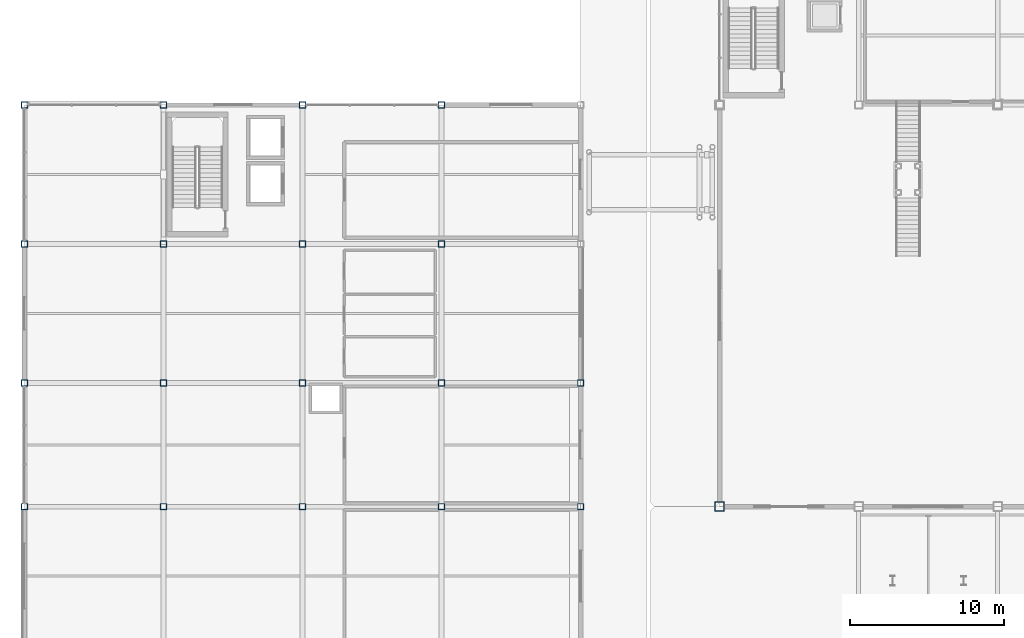
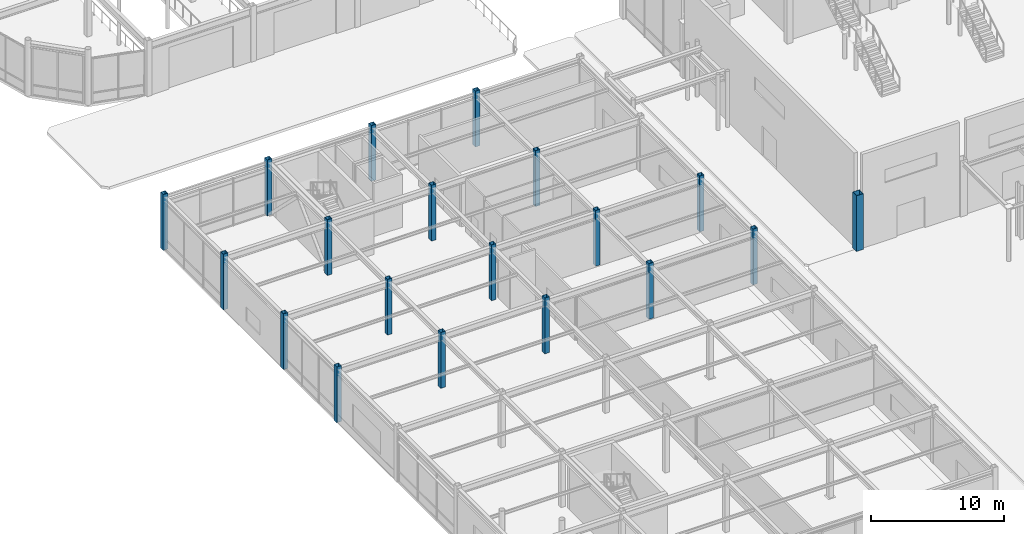
# One storey, part 3 of 123: 19 columns.
"""IFC4 building model written with IfcOpenShell, lengths in metres."""

from ifc_helpers import new_model, si_unit, direction, frame, origin, origin_2d, place, context, subcontext, project, spatial, hollow_rectangle, extrude, material, material_profile, profile_set, type_object, element, save


model = new_model("IFC4")

# Units and contexts
model_context = context("Model", 3, precision=1e-05, world=origin(), true_north=direction((0.0, 1.0)))
body_context = subcontext(model_context, "Body", "Model", "MODEL_VIEW")
ifc_project = project(units=[si_unit("LENGTHUNIT", "METRE"), si_unit("AREAUNIT", "SQUARE_METRE"), si_unit("VOLUMEUNIT", "CUBIC_METRE"), si_unit("PLANEANGLEUNIT", "RADIAN"), si_unit("MASSUNIT", "GRAM", prefix="KILO")], contexts=[model_context])

# Site, building, storey
site_placement = place(None, origin())
site = spatial("IfcSite", under=ifc_project, at=site_placement, CompositionType="ELEMENT")
building_placement = place(site_placement, origin())
building = spatial("IfcBuilding", under=site, at=building_placement, Name="Suzunagisa Mobility Hub", CompositionType="ELEMENT")
storey_placement = place(building_placement, origin())
storey = spatial("IfcBuildingStorey", under=building, at=storey_placement, Name="L00", CompositionType="ELEMENT", Elevation=0.0)

# Columns
ifc_material = material(Name="Steel SN490B", Category="steel")
ifc_material_profile_1 = material_profile(ifc_material, hollow_rectangle(XDim=0.60009765625, YDim=0.60009765625, WallThickness=0.031982421875, at=origin_2d()), Name="BOX-600x600x32")
ifc_profile_set_1 = profile_set([ifc_material_profile_1], Name="Steel SN490B")
column_type_1 = type_object("IfcColumnType", Name="Steel Column CL-05 BOX-600x600x32", PredefinedType="COLUMN", material=ifc_profile_set_1)
column_placement = place(storey_placement, frame((45.0, 36.0, 0.0), z_axis=(0.0, 0.0, 1.0), x_axis=(1.0, 0.0, 0.0)))
element("IfcColumn", 1, at=column_placement, inside=storey, type_object=column_type_1, Name="L00 Column 115", PredefinedType="COLUMN", context=body_context, shape_type="SweptSolid", body=[
    extrude(hollow_rectangle(XDim=0.60009765625, YDim=0.60009765625, WallThickness=0.031982421875, at=origin_2d()), origin(), (0.0, 0.0, 1.0), 5.10009765625),
])
ifc_material_profile_2 = material_profile(ifc_material, hollow_rectangle(XDim=0.39990234375, YDim=0.39990234375, WallThickness=0.01904296875, at=origin_2d()), Name="BCR-400x400x19")
ifc_profile_set_2 = profile_set([ifc_material_profile_2], Name="Steel SN490B")
column_type_2 = type_object("IfcColumnType", Name="Steel Column CL-13 BCR-400x400x19", PredefinedType="COLUMN", material=ifc_profile_set_2)
for number, where, z_axis, x_axis, name in (
    (2, (0.0, 36.0, 0.0), (0.0, 0.0, 1.0), (1.0, 0.0, 0.0), "L00 Column 4"),
    (3, (0.0, 44.0, 0.0), (0.0, 0.0, 1.0), (1.0, 0.0, 0.0), "L00 Column 5"),
    (4, (0.0, 53.0, 0.0), (0.0, 0.0, 1.0), (1.0, 0.0, 0.0), "L00 Column 6"),
    (5, (0.0, 62.0, 0.0), (0.0, 0.0, 1.0), (1.0, 0.0, 0.0), "L00 Column 7"),
    (6, (9.0, 36.0, 0.0), (0.0, 0.0, 1.0), (1.0, 0.0, 0.0), "L00 Column 24"),
    (7, (9.0, 44.0, 0.0), (0.0, 0.0, 1.0), (1.0, 0.0, 0.0), "L00 Column 25"),
    (8, (9.0, 53.0, 0.0), (0.0, 0.0, 1.0), (1.0, 0.0, 0.0), "L00 Column 26"),
    (9, (9.0, 62.0, 0.0), (0.0, 0.0, 1.0), (1.0, 0.0, 0.0), "L00 Column 27"),
    (10, (18.0, 36.0, 0.0), (0.0, 0.0, 1.0), (1.0, 0.0, 0.0), "L00 Column 45"),
    (11, (18.0, 44.0, 0.0), (0.0, 0.0, 1.0), (1.0, 0.0, 0.0), "L00 Column 46"),
    (12, (18.0, 53.0, 0.0), (0.0, 0.0, 1.0), (1.0, 0.0, 0.0), "L00 Column 47"),
    (13, (18.0, 62.0, 0.0), (0.0, 0.0, 1.0), (1.0, 0.0, 0.0), "L00 Column 48"),
    (14, (27.0, 36.0, 0.0), (0.0, 0.0, 1.0), (1.0, 0.0, 0.0), "L00 Column 66"),
    (15, (27.0, 44.0, 0.0), (0.0, 0.0, 1.0), (1.0, 0.0, 0.0), "L00 Column 67"),
    (16, (27.0, 53.0, 0.0), (0.0, 0.0, 1.0), (1.0, 0.0, 0.0), "L00 Column 68"),
    (17, (27.0, 62.0, 0.0), (0.0, 0.0, 1.0), (1.0, 0.0, 0.0), "L00 Column 69"),
    (18, (36.0, 36.0, 0.0), (0.0, 0.0, 1.0), (1.0, 0.0, 0.0), "L00 Column 81"),
    (19, (36.0, 44.0, 0.0), (0.0, 0.0, 1.0), (1.0, 0.0, 0.0), "L00 Column 82"),
):
    element("IfcColumn", number, at=place(storey_placement, frame(where, z_axis=z_axis, x_axis=x_axis)), inside=storey, type_object=column_type_2, Name=name, PredefinedType="COLUMN", context=body_context, shape_type="SweptSolid", body=[
        extrude(hollow_rectangle(XDim=0.39990234375, YDim=0.39990234375, WallThickness=0.01904296875, at=origin_2d()), origin(), (0.0, 0.0, 1.0), 5.10009765625),
    ])

save(model, "model.ifc")
